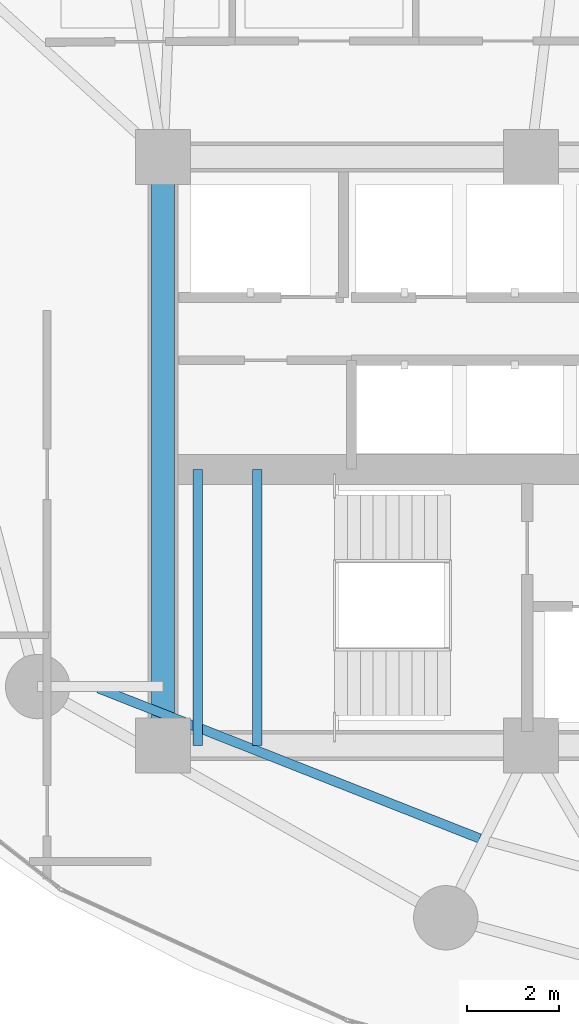
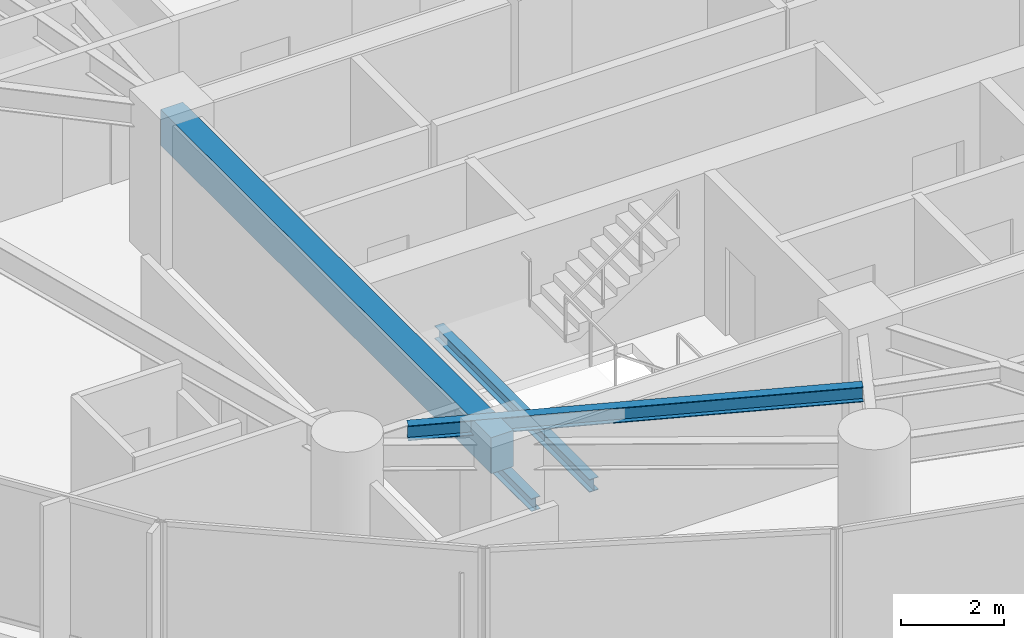
# One storey, part 4 of 33: 4 beams.
"""IFC4 building model written with IfcOpenShell, lengths in metres."""

from ifc_helpers import new_model, si_unit, direction, frame, origin, origin_2d, place, context, subcontext, project, spatial, rectangle, i_section, extrude, material, material_profile, profile_set, type_object, element, save


model = new_model("IFC4")

# Units and contexts
model_context = context("Model", 3, precision=1e-05, world=origin(), true_north=direction((0.0, 1.0)))
body_context = subcontext(model_context, "Body", "Model", "MODEL_VIEW")
ifc_project = project(units=[si_unit("LENGTHUNIT", "METRE"), si_unit("AREAUNIT", "SQUARE_METRE"), si_unit("VOLUMEUNIT", "CUBIC_METRE"), si_unit("PLANEANGLEUNIT", "RADIAN"), si_unit("MASSUNIT", "GRAM", prefix="KILO")], contexts=[model_context])

# Site, building, storey
site_placement = place(None, origin())
site = spatial("IfcSite", under=ifc_project, at=site_placement, CompositionType="ELEMENT")
building_placement = place(site_placement, origin())
building = spatial("IfcBuilding", under=site, at=building_placement, Name="Kazevale Care Tower and Concert Hall", CompositionType="ELEMENT")
storey_placement = place(building_placement, frame((0.0, 0.0, 27.60009765625)))
storey = spatial("IfcBuildingStorey", under=building, at=storey_placement, Name="L06", CompositionType="ELEMENT", Elevation=27.60009765625)

# Beams
ifc_material_1 = material(Name="Concrete C60", Category="concrete")
ifc_material_profile_1 = material_profile(ifc_material_1, rectangle(XDim=0.5, YDim=0.85009765625, at=origin_2d()), Name="RC-B500x850")
ifc_profile_set_1 = profile_set([ifc_material_profile_1], Name="Concrete C60")
beam_type_1 = type_object("IfcBeamType", Name="Core Coupling Beam RC500x850", PredefinedType="LINTEL", material=ifc_profile_set_1)
beam_1_placement = place(storey_placement, frame((22.0, 36.39990234375, 2.934814453125), z_axis=(0.0, -1.0, 0.0), x_axis=(1.0, 0.0, 0.0)))
element("IfcBeam", 1, at=beam_1_placement, inside=storey, type_object=beam_type_1, Name="beam:L06:coretie:8", PredefinedType="LINTEL", context=body_context, shape_type="SweptSolid", body=[
    extrude(rectangle(XDim=0.5, YDim=0.85009765625, at=origin_2d()), origin(), (0.0, 0.0, 1.0), 12.7998046875),
])
ifc_material_2 = material(Name="Steel ASTM A572 Gr 50", Category="steel")
ifc_material_profile_2 = material_profile(ifc_material_2, i_section(OverallWidth=0.205078125, OverallDepth=0.35400390625, WebThickness=0.009521484375, FlangeThickness=0.016845703125, at=origin_2d()), Name="W360x79")
ifc_profile_set_2 = profile_set([ifc_material_profile_2], Name="Steel ASTM A572 Gr 50")
beam_type_2 = type_object("IfcBeamType", Name="Secondary Floor Joist W360x79", PredefinedType="JOIST", material=ifc_profile_set_2)
beam_2_placement = place(storey_placement, frame((20.595947265625, 24.842041015625, 3.182861328125), z_axis=(0.930380638802, -0.366594963062, 0.0), x_axis=(0.366594963062, 0.930380638802, 0.0)))
element("IfcBeam", 2, at=beam_2_placement, inside=storey, type_object=beam_type_2, Name="beam:L06:joist:10", PredefinedType="JOIST", context=body_context, shape_type="SweptSolid", body=[
    extrude(i_section(OverallWidth=0.205078125, OverallDepth=0.35400390625, WebThickness=0.009521484375, FlangeThickness=0.016845703125, at=origin_2d()), origin(), (0.0, 0.0, 1.0), 8.909423828125),
])
ifc_material_profile_3 = material_profile(ifc_material_2, i_section(OverallWidth=0.202880859375, OverallDepth=0.302978515625, WebThickness=0.007568359375, FlangeThickness=0.01318359375, at=origin_2d()), Name="W310x60")
ifc_profile_set_3 = profile_set([ifc_material_profile_3], Name="Steel ASTM A572 Gr 50")
beam_type_3 = type_object("IfcBeamType", Name="Stair & Balcony Trimmer W310x60", PredefinedType="BEAM", material=ifc_profile_set_3)
for number, where, z_axis, x_axis, name in (
    (3, (22.75, 23.60009765625, 1.448486328125), (0.0, 1.0, 0.0), (-1.0, 0.0, 0.0), "beam:L06:sttrim:ST1"),
    (4, (24.050048828125, 23.60009765625, 1.448486328125), (0.0, 1.0, 0.0), (-1.0, 0.0, 0.0), "beam:L06:sttrim:ST1b"),
):
    element("IfcBeam", number, at=place(storey_placement, frame(where, z_axis=z_axis, x_axis=x_axis)), inside=storey, type_object=beam_type_3, Name=name, PredefinedType="BEAM", context=body_context, shape_type="SweptSolid", body=[
        extrude(i_section(OverallWidth=0.202880859375, OverallDepth=0.302978515625, WebThickness=0.007568359375, FlangeThickness=0.01318359375, at=origin_2d()), origin(), (0.0, 0.0, 1.0), 6.0),
    ])

save(model, "model.ifc")
